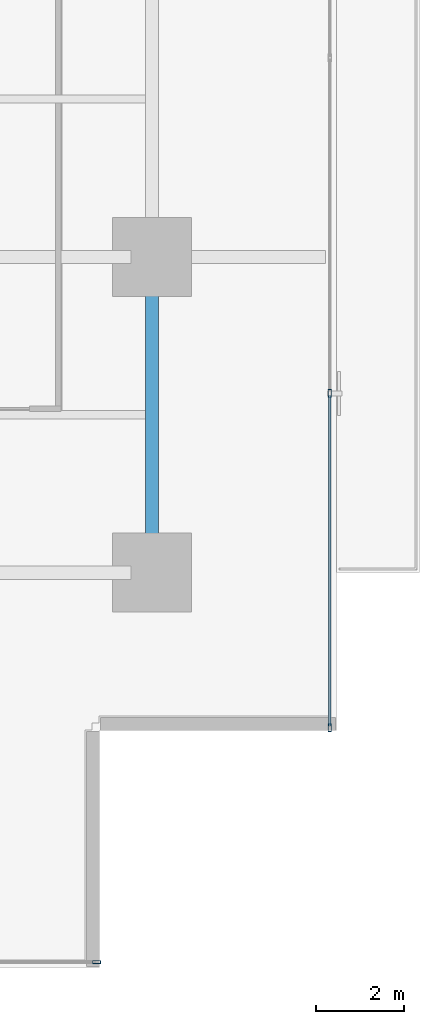
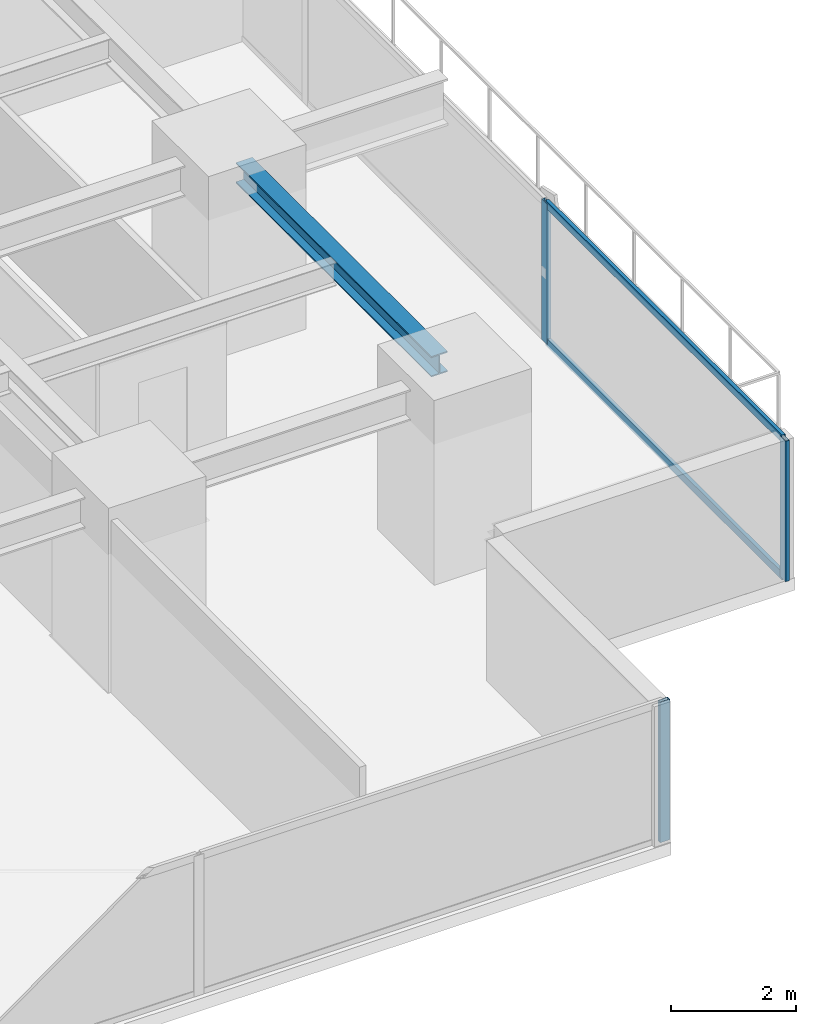
# One storey, part 13 of 33: 5 members, 1 beam, 2 elements without a shape of their own.
"""IFC4 building model written with IfcOpenShell, lengths in metres."""

import ifcopenshell
import ifcopenshell.guid

model = None  # the IFC model being written
_history = None  # IfcOwnerHistory: only IFC2X3 demands one
_inside = {}  # id of a spatial element -> (the spatial element, [elements in it])
_under = {}  # id of a project, library or spatial element -> (it, [spatial elements below it])
_declared = {}  # id of a project -> (the project, [libraries it declares])
_typed = {}  # id of a type object -> (the type object, [elements of that type])
_made_of = {}  # id of a material, layer set ... -> (it, [elements and type objects made of it])


def new_model(schema):
    """Start an empty IFC model of exactly this schema.

    Asked for "IFC4X3", IfcOpenShell would pick the latest addendum, in which some entities
    have other attributes; the version numbers below select the first issue.
    IFC2X3 requires an IfcOwnerHistory on every rooted entity: one is made here for all.
    """
    global model, _history
    if schema == "IFC4X3":
        model = ifcopenshell.file(schema_version=(4, 3, 0, 0))
    else:
        model = ifcopenshell.file(schema=schema)
    _inside.clear()
    _under.clear()
    _declared.clear()
    _typed.clear()
    _made_of.clear()
    _history = None
    if model.schema == "IFC2X3":
        org = make("IfcOrganization", Name="unknown")
        user = make(
            "IfcPersonAndOrganization",
            ThePerson=make("IfcPerson", FamilyName="unknown"),
            TheOrganization=org,
        )
        app = make(
            "IfcApplication",
            ApplicationDeveloper=org,
            Version="unknown",
            ApplicationFullName="unknown",
            ApplicationIdentifier="unknown",
        )
        _history = make(
            "IfcOwnerHistory",
            OwningUser=user,
            OwningApplication=app,
            ChangeAction="ADDED",
            CreationDate=0,
        )
    return model


def make(cls, **values):
    """One entity of the class cls with the attributes given. An attribute that is None is left unset."""
    return model.create_entity(
        cls, **{name: value for name, value in values.items() if value is not None}
    )


def rooted(cls, **values):
    """An entity with a GlobalId (a new one), such as an element, a storey or a relation."""
    return make(cls, GlobalId=ifcopenshell.guid.new(), OwnerHistory=_history, **values)


def si_unit(unit_type, name, prefix=None):
    """IfcSIUnit, for example si_unit("LENGTHUNIT", "METRE", prefix="MILLI")."""
    return make("IfcSIUnit", UnitType=unit_type, Prefix=prefix, Name=name)


def assignment(units):
    """IfcUnitAssignment: the units of a project."""
    return None if units is None else make("IfcUnitAssignment", Units=units)


def point(xyz):
    """IfcCartesianPoint."""
    return None if xyz is None else make("IfcCartesianPoint", Coordinates=xyz)


def direction(xyz):
    """IfcDirection."""
    return None if xyz is None else make("IfcDirection", DirectionRatios=xyz)


def frame(location, z_axis=None, x_axis=None):
    """IfcAxis2Placement3D, a coordinate frame: its origin and axes. An axis left out is left unset."""
    return make(
        "IfcAxis2Placement3D",
        Location=point(location),
        Axis=direction(z_axis),
        RefDirection=direction(x_axis),
    )


def frame_2d(location, x_axis=None):
    """IfcAxis2Placement2D, a coordinate frame in the plane: its origin and x axis."""
    return make(
        "IfcAxis2Placement2D", Location=point(location), RefDirection=direction(x_axis)
    )


def origin():
    """The frame at (0, 0, 0) with its axes left unset."""
    return frame((0.0, 0.0, 0.0))


def origin_2d():
    """The frame at (0, 0) in the plane with its x axis left unset."""
    return frame_2d((0.0, 0.0))


def place(relative_to, where):
    """IfcLocalPlacement: puts the frame where relative to a parent placement (None: the world)."""
    return make(
        "IfcLocalPlacement", PlacementRelTo=relative_to, RelativePlacement=where
    )


def context(
    kind, dimensions, precision=None, world=None, true_north=None, identifier=None
):
    """IfcGeometricRepresentationContext, for example the 3D "Model" context."""
    return make(
        "IfcGeometricRepresentationContext",
        ContextIdentifier=identifier,
        ContextType=kind,
        CoordinateSpaceDimension=dimensions,
        Precision=precision,
        WorldCoordinateSystem=world,
        TrueNorth=true_north,
    )


def subcontext(parent, identifier, kind, view, scale=None):
    """IfcGeometricRepresentationSubContext, for example "Body" below "Model"."""
    return make(
        "IfcGeometricRepresentationSubContext",
        ContextIdentifier=identifier,
        ContextType=kind,
        ParentContext=parent,
        TargetScale=scale,
        TargetView=view,
    )


def project(units=None, contexts=None):
    """IfcProject with its units and contexts."""
    return rooted(
        "IfcProject",
        Name="project",
        RepresentationContexts=contexts,
        UnitsInContext=assignment(units),
    )


def spatial(cls, under=None, at=None, **own):
    """A site, building, storey or space (cls), placed at a placement, below another one or the project."""
    s = rooted(cls, ObjectPlacement=at, **own)
    if under is not None:
        _under.setdefault(under.id(), (under, []))[1].append(s)
    return s


def profile(cls, at=None, kind="AREA", **sizes):
    """A parametric profile (cls). Its sizes go by their IFC names, for example OverallWidth=200.0."""
    return make(cls, ProfileType=kind, Position=at, **sizes)


def hollow_rectangle(**sizes):
    """IfcRectangleHollowProfileDef."""
    return profile("IfcRectangleHollowProfileDef", **sizes)


def i_section(**sizes):
    """IfcIShapeProfileDef."""
    return profile("IfcIShapeProfileDef", **sizes)


def extrude(swept, where, along, depth):
    """IfcExtrudedAreaSolid: the profile swept, set in the frame where, extruded along a direction by depth."""
    return make(
        "IfcExtrudedAreaSolid",
        SweptArea=swept,
        Position=where,
        ExtrudedDirection=direction(along),
        Depth=depth,
    )


def shape(context_of_items, identifier, shape_type, items):
    """IfcShapeRepresentation: the items that make up one representation, for example the "Body"."""
    return make(
        "IfcShapeRepresentation",
        ContextOfItems=context_of_items,
        RepresentationIdentifier=identifier,
        RepresentationType=shape_type,
        Items=items,
    )


def source(mapping_origin, context_of_items, identifier, shape_type, items):
    """IfcRepresentationMap: a shape defined once, which mapped items show again and again."""
    return make(
        "IfcRepresentationMap",
        MappingOrigin=mapping_origin,
        MappedRepresentation=shape(context_of_items, identifier, shape_type, items),
    )


def transform(
    local_origin,
    x_axis=None,
    y_axis=None,
    z_axis=None,
    scale=None,
    scale2=None,
    scale3=None,
    uniform=True,
):
    """IfcCartesianTransformationOperator3D, or its non-uniform kind. x_axis, y_axis, z_axis: its Axis1, 2, 3."""
    if uniform:
        return make(
            "IfcCartesianTransformationOperator3D",
            Axis1=direction(x_axis),
            Axis2=direction(y_axis),
            LocalOrigin=point(local_origin),
            Scale=scale,
            Axis3=direction(z_axis),
        )
    return make(
        "IfcCartesianTransformationOperator3DnonUniform",
        Axis1=direction(x_axis),
        Axis2=direction(y_axis),
        LocalOrigin=point(local_origin),
        Scale=scale,
        Axis3=direction(z_axis),
        Scale2=scale2,
        Scale3=scale3,
    )


def mapped(mapping_source, mapping_target):
    """IfcMappedItem: shows the shape of a source again, moved by a transform."""
    return make(
        "IfcMappedItem", MappingSource=mapping_source, MappingTarget=mapping_target
    )


def material(Name=None, Category=None):
    """IfcMaterial."""
    return make("IfcMaterial", Name=Name, Category=Category)


def layer(
    of_material, thickness, ventilated=None, Name=None, Category=None, Priority=None
):
    """IfcMaterialLayer: one layer of a wall or slab, of a material (None: an air gap)."""
    return make(
        "IfcMaterialLayer",
        Material=of_material,
        LayerThickness=thickness,
        IsVentilated=ventilated,
        Name=Name,
        Category=Category,
        Priority=Priority,
    )


def layer_set(layers, Name=None):
    """IfcMaterialLayerSet."""
    return make("IfcMaterialLayerSet", MaterialLayers=layers, LayerSetName=Name)


def material_profile(
    of_material, cross_section, Name=None, Category=None, Priority=None
):
    """IfcMaterialProfile: a cross section and its material."""
    return make(
        "IfcMaterialProfile",
        Name=Name,
        Material=of_material,
        Profile=cross_section,
        Priority=Priority,
        Category=Category,
    )


def profile_set(profiles, Name=None, composite=None):
    """IfcMaterialProfileSet."""
    return make(
        "IfcMaterialProfileSet",
        Name=Name,
        MaterialProfiles=profiles,
        CompositeProfile=composite,
    )


def made_of(thing, what):
    """Note that an element or type object is made of a material, layer set ...; save() writes the relation."""
    if what is not None:
        _made_of.setdefault(what.id(), (what, []))[1].append(thing)
    return thing


def type_object(cls, material=None, **own):
    """A type object (cls), such as IfcWallType, which elements share."""
    return made_of(rooted(cls, **own), material)


def element(
    cls,
    number,
    at=None,
    inside=None,
    cuts=None,
    type_object=None,
    material=None,
    context=None,
    identifier="Body",
    shape_type=None,
    held_by="IfcProductDefinitionShape",
    body=None,
    shapes=None,
    **own,
):
    """One element of the class cls, such as IfcWall. Its Tag is "e" and its number.

    at: its placement. inside: the storey or other place that contains it. cuts: it is an
    opening in that element (IfcRelVoidsElement). A single representation is given by context,
    identifier, shape_type and body (its items); several are given by shapes. held_by: the class
    of the entity that holds the representations. save() writes the other relations.
    """
    e = rooted(cls, Tag="e%d" % number, ObjectPlacement=at, **own)
    if body is not None:
        shapes = [shape(context, identifier, shape_type, body)]
    if shapes is not None:
        e.Representation = make(held_by, Representations=shapes)
    if inside is not None:
        _inside.setdefault(inside.id(), (inside, []))[1].append(e)
    if cuts is not None:
        rooted(
            "IfcRelVoidsElement", RelatingBuildingElement=cuts, RelatedOpeningElement=e
        )
    if type_object is not None:
        _typed.setdefault(type_object.id(), (type_object, []))[1].append(e)
    return made_of(e, material)


def aggregate(whole, parts):
    """IfcRelAggregates: a whole, such as a stair, and the parts it consists of."""
    return rooted("IfcRelAggregates", RelatingObject=whole, RelatedObjects=parts)


def save(model, path):
    """Write the relations noted so far, then the file.

    IfcRelAggregates (storeys below a building ...), IfcRelContainedInSpatialStructure (elements
    in a storey), IfcRelDefinesByType, IfcRelAssociatesMaterial and IfcRelDeclares: one each for
    every whole, place, type object, material and project.
    """
    for whole, parts in _under.values():
        aggregate(whole, parts)
    for where, things in _inside.values():
        rooted(
            "IfcRelContainedInSpatialStructure",
            RelatedElements=things,
            RelatingStructure=where,
        )
    for kind, things in _typed.values():
        rooted("IfcRelDefinesByType", RelatedObjects=things, RelatingType=kind)
    for what, things in _made_of.values():
        rooted("IfcRelAssociatesMaterial", RelatedObjects=things, RelatingMaterial=what)
    for by, libraries in _declared.values():
        rooted("IfcRelDeclares", RelatingContext=by, RelatedDefinitions=libraries)
    model.write(path)


model = new_model("IFC4")

# Units and contexts
model_context = context("Model", 3, precision=1e-05, world=origin(), true_north=direction((0.0, 1.0)))
body_context = subcontext(model_context, "Body", "Model", "MODEL_VIEW")
ifc_project = project(units=[si_unit("LENGTHUNIT", "METRE"), si_unit("AREAUNIT", "SQUARE_METRE"), si_unit("VOLUMEUNIT", "CUBIC_METRE"), si_unit("PLANEANGLEUNIT", "RADIAN"), si_unit("MASSUNIT", "GRAM", prefix="KILO")], contexts=[model_context])

# Site, building, storey
site_placement = place(None, origin())
site = spatial("IfcSite", under=ifc_project, at=site_placement, CompositionType="ELEMENT")
building_placement = place(site_placement, origin())
building = spatial("IfcBuilding", under=site, at=building_placement, Name="Sumidabori Civic Tower", CompositionType="ELEMENT")
storey_placement = place(building_placement, frame((0.0, 0.0, 23.60009765625)))
storey = spatial("IfcBuildingStorey", under=building, at=storey_placement, Name="L05", CompositionType="ELEMENT", Elevation=23.60009765625)

# Beam
ifc_material_1 = material(Name="Steel SN490", Category="steel")
ifc_material_profile_1 = material_profile(ifc_material_1, i_section(OverallWidth=0.300048828125, OverallDepth=0.39990234375, WebThickness=0.013427734375, FlangeThickness=0.02392578125, at=origin_2d()), Name="HE 400 B")
ifc_profile_set_1 = profile_set([ifc_material_profile_1], Name="Steel SN490")
beam_type = type_object("IfcBeamType", Name="BM-GIRD-400", PredefinedType="BEAM", material=ifc_profile_set_1)
shared_shape_1 = source(origin(), body_context, "Body", "SweptSolid", [
    extrude(i_section(OverallWidth=0.300048828125, OverallDepth=0.39990234375, WebThickness=0.013427734375, FlangeThickness=0.02392578125, at=origin_2d()), origin(), (0.0, 0.0, 1.0), 6.239990234375),
])
beam_placement = place(storey_placement, frame((22.800048828125, -17.52001953125, 3.159912109375), z_axis=(0.0, 1.0, 0.0), x_axis=(-1.0, 0.0, 0.0)))
element("IfcBeam", 1, at=beam_placement, inside=storey, type_object=beam_type, Name="Primary Girder L05 GY-39", PredefinedType="BEAM", context=body_context, shape_type="MappedRepresentation", body=[
    mapped(shared_shape_1, transform((0.0, 0.0, 0.0), x_axis=(1.0, 0.0, 0.0), y_axis=(0.0, 1.0, 0.0), z_axis=(0.0, 0.0, 1.0), scale=1.0)),
])

# Curtain wall, member
ifc_material_2 = material(Name="Anodised Bronze Aluminium AW-6063-T6", Category="aluminium")
ifc_layer = layer(ifc_material_2, 0.179931640625, Name="Anodised Bronze Aluminium AW-6063-T6")
ifc_layer_set = layer_set([ifc_layer], Name="Anodised Bronze Aluminium AW-6063-T6")
curtain_wall_type = type_object("IfcCurtainWallType", Name="CW-SYS-2", PredefinedType="NOTDEFINED", material=ifc_layer_set)
curtain_wall_1_placement = place(storey_placement, origin())
curtain_wall_1 = element("IfcCurtainWall", 2, at=curtain_wall_1_placement, inside=storey, type_object=curtain_wall_type, Name="Curtain Wall CW:L05:R01", PredefinedType="NOTDEFINED")
ifc_material_profile_2 = material_profile(ifc_material_2, hollow_rectangle(XDim=0.070068359375, YDim=0.179931640625, WallThickness=0.006103515625, at=origin_2d()), Name="ALU MULLION 180x70")
ifc_profile_set_2 = profile_set([ifc_material_profile_2], Name="Anodised Bronze Aluminium AW-6063-T6")
member_type_1 = type_object("IfcMemberType", Name="CW-MUL-180", PredefinedType="MULLION", material=ifc_profile_set_2)
shared_shape_2 = source(origin(), body_context, "Body", "SweptSolid", [
    extrude(hollow_rectangle(XDim=0.070068359375, YDim=0.179931640625, WallThickness=0.006103515625, at=origin_2d()), origin(), (0.0, 0.0, 1.0), 2.739990234375),
])
member_1_placement = place(storey_placement, frame((21.534912109375, -26.8798828125, 0.0), z_axis=(0.0, 0.0, 1.0), x_axis=(0.0, 1.0, 0.0)))
member_1 = element("IfcMember", 3, at=member_1_placement, type_object=member_type_1, Name="CW-2 mullion 6", PredefinedType="MULLION", context=body_context, shape_type="MappedRepresentation", body=[
    mapped(shared_shape_2, transform((0.0, 0.0, 0.0), x_axis=(1.0, 0.0, 0.0), y_axis=(0.0, 1.0, 0.0), z_axis=(0.0, 0.0, 1.0), scale=1.0)),
])
aggregate(curtain_wall_1, [member_1])

# Curtain wall, members
curtain_wall_2_placement = place(storey_placement, origin())
curtain_wall_2 = element("IfcCurtainWall", 4, at=curtain_wall_2_placement, inside=storey, type_object=curtain_wall_type, Name="Curtain Wall CW:L05:R04", PredefinedType="NOTDEFINED")
member_2_placement = place(storey_placement, frame((26.85009765625, -21.534912109375, 0.0), z_axis=(0.0, 0.0, 1.0), x_axis=(-1.0, 0.0, 0.0)))
member_2 = element("IfcMember", 5, at=member_2_placement, type_object=member_type_1, Name="CW-2 mullion 1", PredefinedType="MULLION", context=body_context, shape_type="MappedRepresentation", body=[
    mapped(shared_shape_2, transform((0.0, 0.0, 0.0), x_axis=(1.0, 0.0, 0.0), y_axis=(0.0, 1.0, 0.0), z_axis=(0.0, 0.0, 1.0), scale=1.0)),
])
member_3_placement = place(storey_placement, frame((26.85009765625, -13.913330078125, 0.0), z_axis=(0.0, 0.0, 1.0), x_axis=(-1.0, 0.0, 0.0)))
member_3 = element("IfcMember", 6, at=member_3_placement, type_object=member_type_1, Name="CW-2 mullion 2", PredefinedType="MULLION", context=body_context, shape_type="MappedRepresentation", body=[
    mapped(shared_shape_2, transform((0.0, 0.0, 0.0), x_axis=(1.0, 0.0, 0.0), y_axis=(0.0, 1.0, 0.0), z_axis=(0.0, 0.0, 1.0), scale=1.0)),
])
ifc_material_profile_3 = material_profile(ifc_material_2, hollow_rectangle(XDim=0.06494140625, YDim=0.14990234375, WallThickness=0.0048828125, at=origin_2d()), Name="ALU TRANSOM 150x65")
ifc_profile_set_3 = profile_set([ifc_material_profile_3], Name="Anodised Bronze Aluminium AW-6063-T6")
member_type_2 = type_object("IfcMemberType", Name="CW-TRN-150", PredefinedType="USERDEFINED", material=ifc_profile_set_3)
shared_shape_3 = source(origin(), body_context, "Body", "SweptSolid", [
    extrude(hollow_rectangle(XDim=0.06494140625, YDim=0.14990234375, WallThickness=0.0048828125, at=origin_2d()), origin(), (0.0, 0.0, 1.0), 7.5517578125),
])
member_4_placement = place(storey_placement, frame((26.85009765625, -21.5, 0.032470703125), z_axis=(0.0, 1.0, 0.0), x_axis=(-1.0, 0.0, 0.0)))
member_4 = element("IfcMember", 7, at=member_4_placement, type_object=member_type_2, Name="CW-2 transom 1.1", ObjectType="TRANSOM", PredefinedType="USERDEFINED", context=body_context, shape_type="MappedRepresentation", body=[
    mapped(shared_shape_3, transform((0.0, 0.0, 0.0), x_axis=(1.0, 0.0, 0.0), y_axis=(0.0, 1.0, 0.0), z_axis=(0.0, 0.0, 1.0), scale=1.0)),
])
member_5_placement = place(storey_placement, frame((26.85009765625, -21.5, 2.70751953125), z_axis=(0.0, 1.0, 0.0), x_axis=(-1.0, 0.0, 0.0)))
member_5 = element("IfcMember", 8, at=member_5_placement, type_object=member_type_2, Name="CW-2 transom 1.2", ObjectType="TRANSOM", PredefinedType="USERDEFINED", context=body_context, shape_type="MappedRepresentation", body=[
    mapped(shared_shape_3, transform((0.0, 0.0, 0.0), x_axis=(1.0, 0.0, 0.0), y_axis=(0.0, 1.0, 0.0), z_axis=(0.0, 0.0, 1.0), scale=1.0)),
])
aggregate(curtain_wall_2, [member_2, member_3, member_4, member_5])

save(model, "model.ifc")
